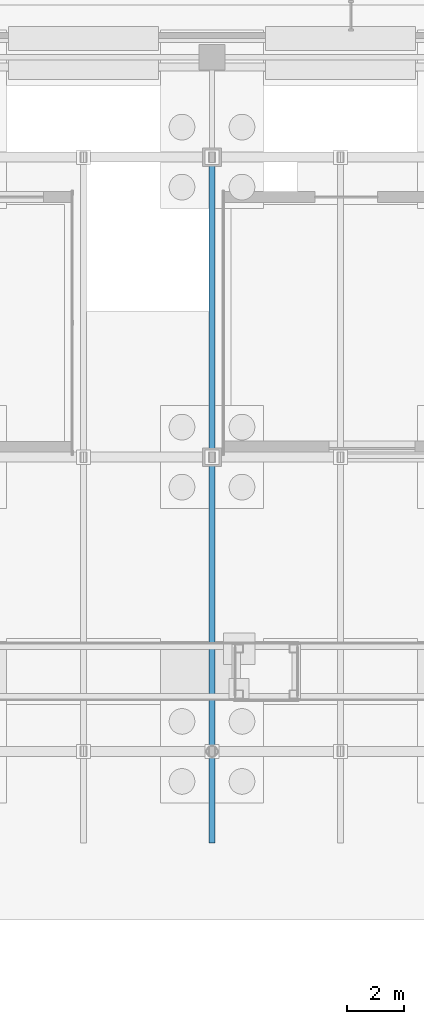
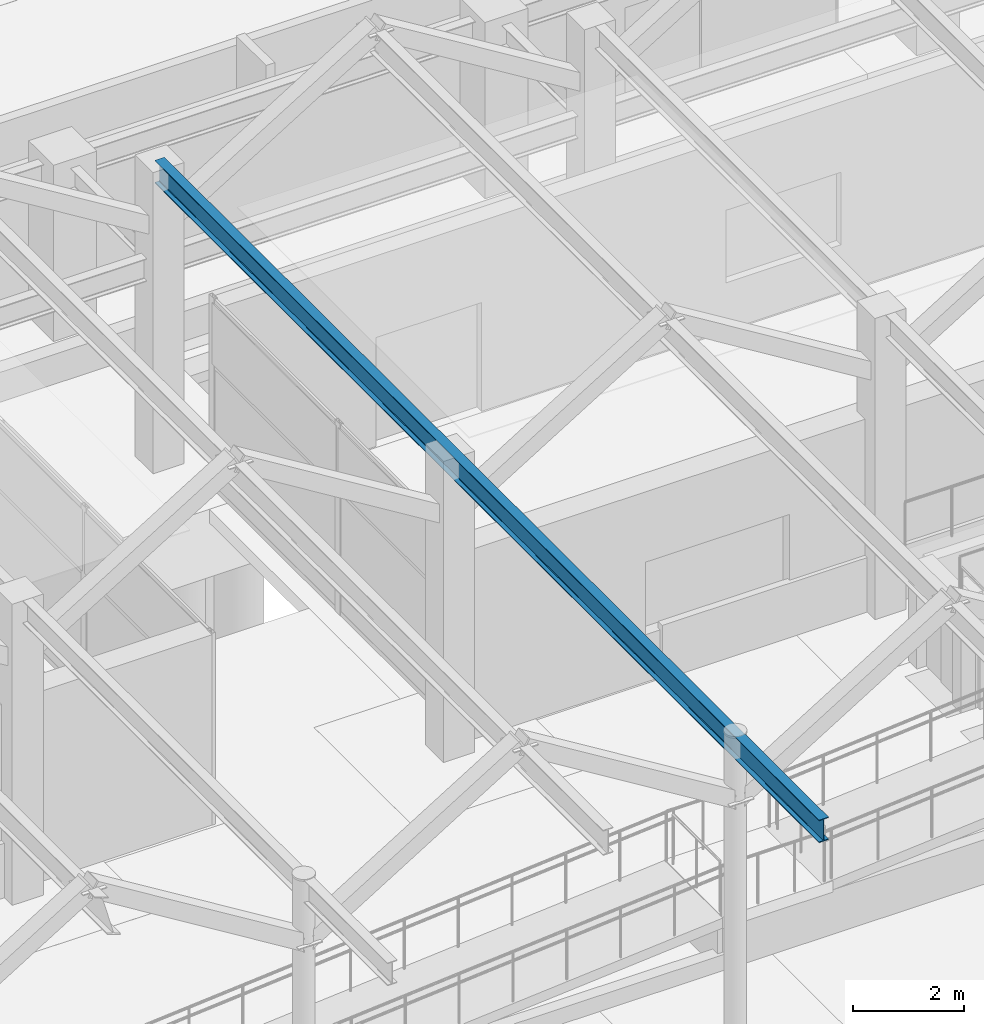
# One storey, part 51 of 160: 1 beam.
"""IFC4 building model written with IfcOpenShell, lengths in metres."""

from ifc_helpers import new_model, si_unit, direction, frame, origin, origin_2d, place, context, subcontext, project, spatial, i_section, extrude, material, material_profile, profile_set, type_object, element, save


model = new_model("IFC4")

# Units and contexts
model_context = context("Model", 3, precision=1e-05, world=origin(), true_north=direction((0.0, 1.0)))
body_context = subcontext(model_context, "Body", "Model", "MODEL_VIEW")
ifc_project = project(units=[si_unit("LENGTHUNIT", "METRE"), si_unit("AREAUNIT", "SQUARE_METRE"), si_unit("VOLUMEUNIT", "CUBIC_METRE"), si_unit("PLANEANGLEUNIT", "RADIAN"), si_unit("MASSUNIT", "GRAM", prefix="KILO")], contexts=[model_context])

# Site, building, storey
site_placement = place(None, origin())
site = spatial("IfcSite", under=ifc_project, at=site_placement, CompositionType="ELEMENT")
building_placement = place(site_placement, origin())
building = spatial("IfcBuilding", under=site, at=building_placement, Name="Marlcrest Central Station", CompositionType="ELEMENT")
storey_placement = place(building_placement, origin())
storey = spatial("IfcBuildingStorey", under=building, at=storey_placement, Name="L00", CompositionType="ELEMENT", Elevation=0.0)

# Beam
ifc_material = material(Name="Steel S355", Category="steel")
ifc_material_profile = material_profile(ifc_material, i_section(OverallWidth=0.199951171875, OverallDepth=0.5, WebThickness=0.01025390625, FlangeThickness=0.01611328125, FilletRadius=0.02099609375, at=origin_2d()), Name="IPE 500")
ifc_profile_set = profile_set([ifc_material_profile], Name="Steel S355")
beam_type = type_object("IfcBeamType", Name="BM-05", PredefinedType="BEAM", material=ifc_profile_set)
beam_placement = place(storey_placement, frame((45.0, 9.0, 6.389892578125), z_axis=(0.0, 1.0, 0.0), x_axis=(-1.0, 0.0, 0.0)))
element("IfcBeam", 1, at=beam_placement, inside=storey, type_object=beam_type, Name="bm-BM-05-L00-01048", PredefinedType="BEAM", context=body_context, shape_type="SweptSolid", body=[
    extrude(i_section(OverallWidth=0.199951171875, OverallDepth=0.5, WebThickness=0.01025390625, FlangeThickness=0.01611328125, FilletRadius=0.02099609375, at=origin_2d()), origin(), (0.0, 0.0, 1.0), 24.0),
])

save(model, "model.ifc")
